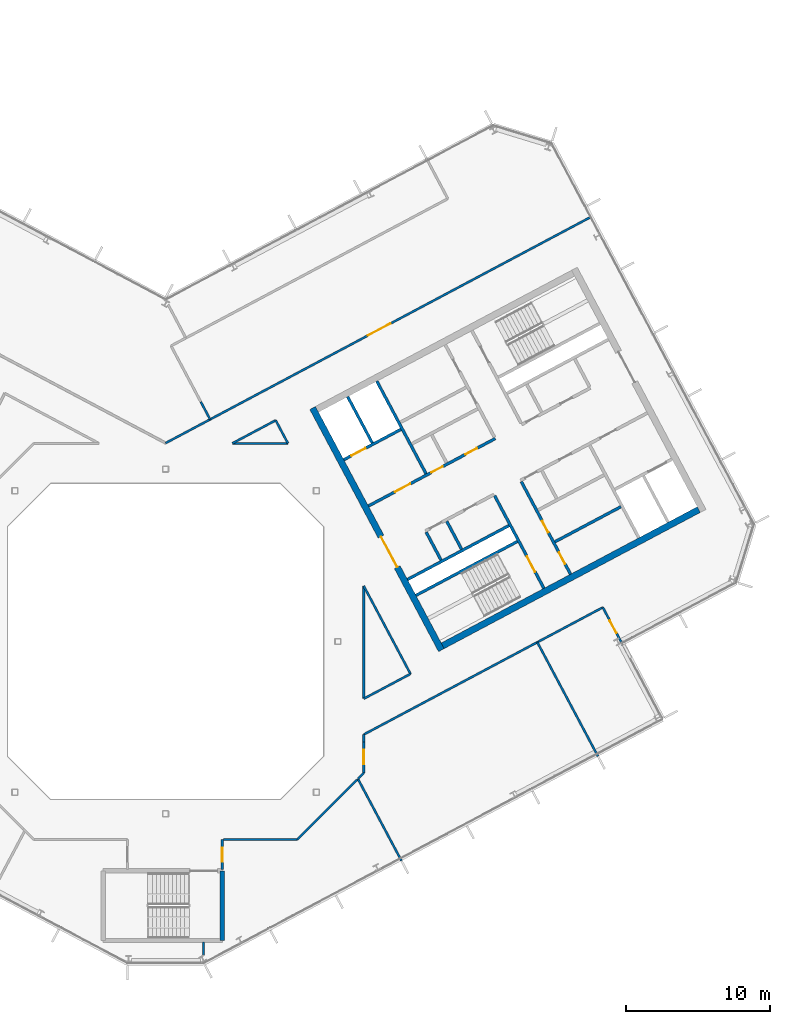
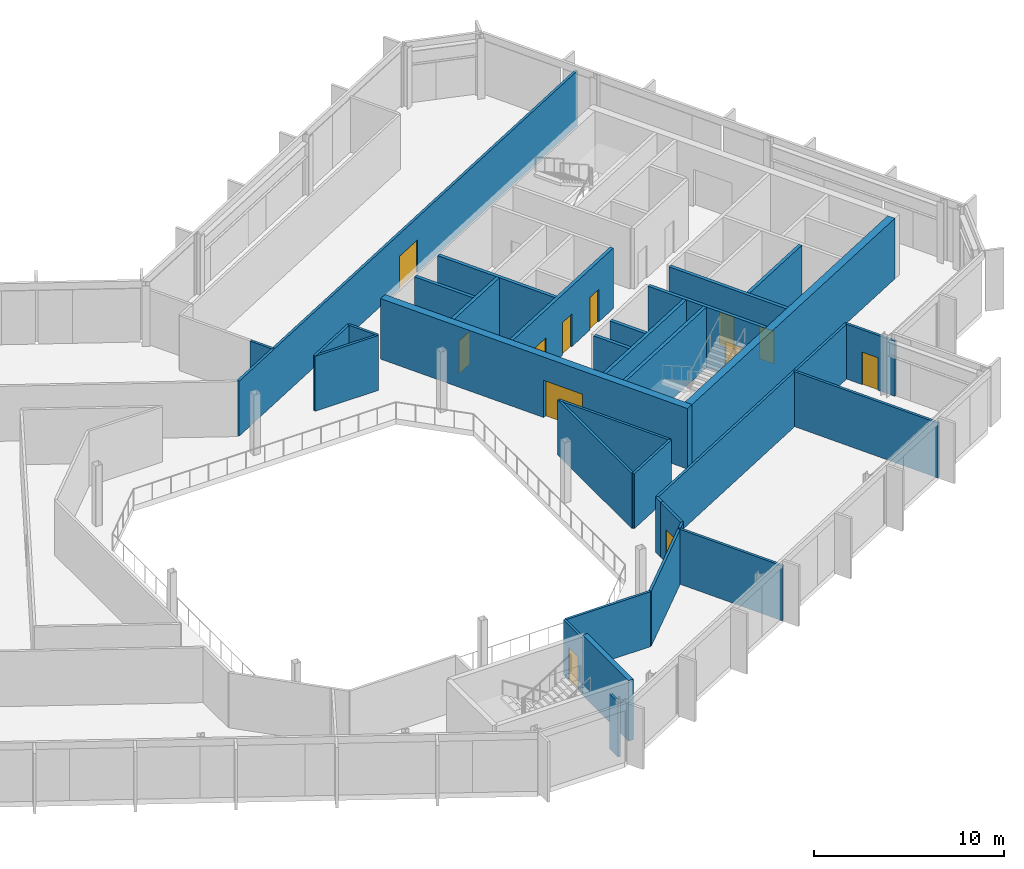
# One storey, part 16 of 26: 33 walls, 12 doors, 12 openings.
"""IFC4 building model written with IfcOpenShell, lengths in metres."""

from ifc_helpers import new_model, si_unit, direction, frame, frame_2d, origin, place, context, subcontext, project, spatial, rectangle, extrude, material, layer, layer_set, type_object, element, fill, save


model = new_model("IFC4")

# Units and contexts
model_context = context("Model", 3, precision=1e-05, world=origin(), true_north=direction((0.0, 1.0)))
body_context = subcontext(model_context, "Body", "Model", "MODEL_VIEW")
ifc_project = project(units=[si_unit("LENGTHUNIT", "METRE"), si_unit("AREAUNIT", "SQUARE_METRE"), si_unit("VOLUMEUNIT", "CUBIC_METRE"), si_unit("PLANEANGLEUNIT", "RADIAN"), si_unit("MASSUNIT", "GRAM", prefix="KILO")], contexts=[model_context])

# Site, building, storey
site_placement = place(None, origin())
site = spatial("IfcSite", under=ifc_project, at=site_placement, CompositionType="ELEMENT")
building_placement = place(site_placement, origin())
building = spatial("IfcBuilding", under=site, at=building_placement, Name="Cormorant Relay Tower", CompositionType="ELEMENT")
storey_placement = place(building_placement, frame((0.0, 0.0, 277.5)))
storey = spatial("IfcBuildingStorey", under=building, at=storey_placement, Name="L62", CompositionType="ELEMENT", Elevation=277.5)

# Walls
ifc_material_1 = material(Name="Concrete 40 MPa", Category="concrete")
ifc_layer_1 = layer(ifc_material_1, 0.199951171875)
ifc_layer_set_1 = layer_set([ifc_layer_1], Name="Core internal wall 200")
wall_type_1 = type_object("IfcWallType", Name="Core internal wall 200", PredefinedType="SOLIDWALL", material=ifc_layer_set_1)
wall_1_placement = place(storey_placement, frame((20.614013671875, 6.430419921875, 0.0), z_axis=(0.0, 0.0, 1.0), x_axis=(-0.4694473164, 0.882960484464, 0.0)))
element("IfcWall", 1, at=wall_1_placement, inside=storey, type_object=wall_type_1, Name="L62 core B shaft and room wall", PredefinedType="SOLIDWALL", context=body_context, shape_type="SweptSolid", body=[
    extrude(rectangle(XDim=2.199951171875, YDim=0.199951171875, at=frame_2d((1.10009765625, 0.0))), origin(), (0.0, 0.0, 1.0), 3.89990234375),
])
wall_2_placement = place(storey_placement, frame((27.11474609375, 6.942138671875, 0.0), z_axis=(0.0, 0.0, 1.0), x_axis=(0.882934506056, 0.469496174655, 0.0)))
element("IfcWall", 2, at=wall_2_placement, inside=storey, type_object=wall_type_1, Name="L62 core B shaft and room wall", PredefinedType="SOLIDWALL", context=body_context, shape_type="SweptSolid", body=[
    extrude(rectangle(XDim=5.199951171875, YDim=0.199951171875, at=frame_2d((2.60009765625, 0.0))), origin(), (0.0, 0.0, 1.0), 3.89990234375),
])
ifc_material_2 = material(Name="Concrete 50 MPa", Category="concrete")
ifc_layer_2 = layer(ifc_material_2, 0.199951171875)
ifc_layer_set_2 = layer_set([ifc_layer_2], Name="Core shaft wall 200")
wall_type_2 = type_object("IfcWallType", Name="Core shaft wall 200", PredefinedType="SHEAR", material=ifc_layer_set_2)
wall_3_placement = place(storey_placement, frame((14.39404296875, 13.825927734375, 0.0), z_axis=(0.0, 0.0, 1.0), x_axis=(-0.469494272526, 0.882935517501, 0.0)))
element("IfcWall", 3, at=wall_3_placement, inside=storey, type_object=wall_type_2, Name="L62 core B shaft wall", PredefinedType="SHEAR", context=body_context, shape_type="SweptSolid", body=[
    extrude(rectangle(XDim=3.64990234375, YDim=0.199951171875, at=frame_2d((1.824951171875, 0.0))), origin(), (0.0, 0.0, 1.0), 3.89990234375),
])
wall_4_placement = place(storey_placement, frame((19.18359375, 5.669921875, 0.0), z_axis=(0.0, 0.0, 1.0), x_axis=(-0.4694473164, 0.882960484464, 0.0)))
element("IfcWall", 4, at=wall_4_placement, inside=storey, type_object=wall_type_2, Name="L62 core B shaft wall", PredefinedType="SHEAR", context=body_context, shape_type="SweptSolid", body=[
    extrude(rectangle(XDim=2.199951171875, YDim=0.199951171875, at=frame_2d((1.10009765625, 0.0))), origin(), (0.0, 0.0, 1.0), 3.89990234375),
])
wall_5_placement = place(storey_placement, frame((18.138427734375, 11.682861328125, 0.0), z_axis=(0.0, 0.0, 1.0), x_axis=(-0.469480409012, 0.88294288918, 0.0)))
element("IfcWall", 5, at=wall_5_placement, inside=storey, type_object=wall_type_2, Name="L62 core B shaft wall", PredefinedType="SHEAR", context=body_context, shape_type="SweptSolid", body=[
    extrude(rectangle(XDim=7.300048828125, YDim=0.199951171875, at=frame_2d((3.64990234375, 0.0))), origin(), (0.0, 0.0, 1.0), 3.89990234375),
])

# Wall, opening, door
wall_6_placement = place(storey_placement, frame((26.345947265625, 3.701904296875, 0.0), z_axis=(0.0, 0.0, 1.0), x_axis=(-0.469480409012, 0.88294288918, 0.0)))
wall_6 = element("IfcWall", 6, at=wall_6_placement, inside=storey, type_object=wall_type_2, Name="L62 core B shaft wall", PredefinedType="SHEAR", context=body_context, shape_type="SweptSolid", body=[
    extrude(rectangle(XDim=7.300048828125, YDim=0.199951171875, at=frame_2d((3.64990234375, 0.0))), origin(), (0.0, 0.0, 1.0), 3.89990234375),
])
opening_1_placement = place(wall_6_placement, frame((1.300048828125, 0.0, 0.0)))
opening_1 = element("IfcOpeningElement", 7, at=opening_1_placement, cuts=wall_6, Name="Opening CDB-040", PredefinedType="OPENING", context=body_context, shape_type="SweptSolid", body=[
    extrude(rectangle(XDim=1.199951171875, YDim=2.10009765625, at=frame_2d((0.60009765625, 1.050048828125))), frame((0.0, 0.10986328125, 0.0), z_axis=(0.0, -1.0, 0.0), x_axis=(1.0, 0.0, 0.0)), (0.0, 0.0, 1.0), 0.219970703125),
])
ifc_material_3 = material(Name="Steel fire door", Category="steel")
door_type_1 = type_object("IfcDoorType", Name="Core stair door 1200x2100", OperationType="SINGLE_SWING_LEFT", PredefinedType="DOOR", material=ifc_material_3)
door_1_placement = place(opening_1_placement, origin())
door_1 = element("IfcDoor", 8, at=door_1_placement, inside=storey, type_object=door_type_1, Name="Core stair door 1200x2100", OperationType="SINGLE_SWING_RIGHT", OverallHeight=2.10009765625, OverallWidth=1.199951171875, PredefinedType="DOOR", context=body_context, shape_type="SweptSolid", body=[
    extrude(rectangle(XDim=1.199951171875, YDim=2.10009765625, at=frame_2d((0.60009765625, 1.050048828125))), frame((0.0, 0.02490234375, 0.0), z_axis=(0.0, -1.0, 0.0), x_axis=(1.0, 0.0, 0.0)), (0.0, 0.0, 1.0), 0.050048828125),
])
fill(opening_1, door_1)

# Wall, openings, doors
wall_7_placement = place(storey_placement, frame((28.199951171875, 4.687744140625, 0.0), z_axis=(0.0, 0.0, 1.0), x_axis=(-0.469454336211, 0.882956752176, 0.0)))
wall_7 = element("IfcWall", 9, at=wall_7_placement, inside=storey, type_object=wall_type_2, Name="L62 core B shaft wall", PredefinedType="SHEAR", context=body_context, shape_type="SweptSolid", body=[
    extrude(rectangle(XDim=7.300048828125, YDim=0.199951171875, at=frame_2d((3.64990234375, 0.0))), origin(), (0.0, 0.0, 1.0), 3.89990234375),
])
opening_2_placement = place(wall_7_placement, frame((0.800048828125, 0.0, 0.0)))
opening_2 = element("IfcOpeningElement", 10, at=opening_2_placement, cuts=wall_7, Name="Opening CDD-286", PredefinedType="OPENING", context=body_context, shape_type="SweptSolid", body=[
    extrude(rectangle(XDim=0.89990234375, YDim=2.10009765625, at=frame_2d((0.449951171875, 1.050048828125))), frame((0.0, 0.10986328125, 0.0), z_axis=(0.0, -1.0, 0.0), x_axis=(1.0, 0.0, 0.0)), (0.0, 0.0, 1.0), 0.219970703125),
])
opening_3_placement = place(wall_7_placement, frame((3.300048828125, 0.0, 0.0)))
opening_3 = element("IfcOpeningElement", 11, at=opening_3_placement, cuts=wall_7, Name="Opening CDD-287", PredefinedType="OPENING", context=body_context, shape_type="SweptSolid", body=[
    extrude(rectangle(XDim=0.89990234375, YDim=2.10009765625, at=frame_2d((0.449951171875, 1.050048828125))), frame((0.0, 0.10986328125, 0.0), z_axis=(0.0, -1.0, 0.0), x_axis=(1.0, 0.0, 0.0)), (0.0, 0.0, 1.0), 0.219970703125),
])
ifc_material_4 = material(Name="Steel fire door", Category="steel")
door_type_2 = type_object("IfcDoorType", Name="Core room door 900x2100", OperationType="SINGLE_SWING_LEFT", PredefinedType="DOOR", material=ifc_material_4)
door_2_placement = place(opening_2_placement, frame((0.89990234375, 0.0, 0.0), z_axis=(0.0, 0.0, 1.0), x_axis=(-1.0, 0.0, 0.0)))
door_2 = element("IfcDoor", 12, at=door_2_placement, inside=storey, type_object=door_type_2, Name="Core room door 900x2100", OperationType="SINGLE_SWING_LEFT", OverallHeight=2.10009765625, OverallWidth=0.89990234375, PredefinedType="DOOR", context=body_context, shape_type="SweptSolid", body=[
    extrude(rectangle(XDim=0.89990234375, YDim=2.10009765625, at=frame_2d((0.449951171875, 1.050048828125))), frame((0.0, 0.02490234375, 0.0), z_axis=(0.0, -1.0, 0.0), x_axis=(1.0, 0.0, 0.0)), (0.0, 0.0, 1.0), 0.050048828125),
])
fill(opening_2, door_2)
door_3_placement = place(opening_3_placement, frame((0.89990234375, 0.0, 0.0), z_axis=(0.0, 0.0, 1.0), x_axis=(-1.0, 0.0, 0.0)))
door_3 = element("IfcDoor", 13, at=door_3_placement, inside=storey, type_object=door_type_2, Name="Core room door 900x2100", OperationType="SINGLE_SWING_LEFT", OverallHeight=2.10009765625, OverallWidth=0.89990234375, PredefinedType="DOOR", context=body_context, shape_type="SweptSolid", body=[
    extrude(rectangle(XDim=0.89990234375, YDim=2.10009765625, at=frame_2d((0.449951171875, 1.050048828125))), frame((0.0, 0.02490234375, 0.0), z_axis=(0.0, -1.0, 0.0), x_axis=(1.0, 0.0, 0.0)), (0.0, 0.0, 1.0), 0.050048828125),
])
fill(opening_3, door_3)

# Walls
for number, where, z_axis, x_axis, name in (
    (14, (17.43359375, 3.210205078125, 0.0), (0.0, 0.0, 1.0), (0.882940221191, 0.469485426614, 0.0), "L62 core B shaft wall"),
    (15, (16.8466796875, 4.31396484375, 0.0), (0.0, 0.0, 1.0), (0.882940221191, 0.469485426614, 0.0), "L62 core B shaft wall"),
):
    element("IfcWall", number, at=place(storey_placement, frame(where, z_axis=z_axis, x_axis=x_axis)), inside=storey, type_object=wall_type_2, Name=name, PredefinedType="SHEAR", context=body_context, shape_type="SweptSolid", body=[
        extrude(rectangle(XDim=8.0, YDim=0.199951171875, at=frame_2d((4.0, 0.0))), origin(), (0.0, 0.0, 1.0), 3.89990234375),
    ])

# Wall, openings, doors
wall_8_placement = place(storey_placement, frame((14.123779296875, 9.43505859375, 0.0), z_axis=(0.0, 0.0, 1.0), x_axis=(0.882940221191, 0.469485426614, 0.0)))
wall_8 = element("IfcWall", 16, at=wall_8_placement, inside=storey, type_object=wall_type_2, Name="L62 core B shaft wall", PredefinedType="SHEAR", context=body_context, shape_type="SweptSolid", body=[
    extrude(rectangle(XDim=10.0, YDim=0.199951171875, at=frame_2d((5.0, 0.0))), origin(), (0.0, 0.0, 1.0), 3.89990234375),
])
opening_4_placement = place(wall_8_placement, frame((2.10009765625, 0.0, 0.0)))
opening_4 = element("IfcOpeningElement", 17, at=opening_4_placement, cuts=wall_8, Name="Opening CDC-037", PredefinedType="OPENING", context=body_context, shape_type="SweptSolid", body=[
    extrude(rectangle(XDim=1.199951171875, YDim=2.10009765625, at=frame_2d((0.60009765625, 1.050048828125))), frame((0.0, 0.10986328125, 0.0), z_axis=(0.0, -1.0, 0.0), x_axis=(1.0, 0.0, 0.0)), (0.0, 0.0, 1.0), 0.219970703125),
])
opening_5_placement = place(wall_8_placement, frame((4.9599609375, 0.0, 0.0)))
opening_5 = element("IfcOpeningElement", 18, at=opening_5_placement, cuts=wall_8, Name="Opening CDD-241", PredefinedType="OPENING", context=body_context, shape_type="SweptSolid", body=[
    extrude(rectangle(XDim=0.89990234375, YDim=2.10009765625, at=frame_2d((0.449951171875, 1.050048828125))), frame((0.0, 0.10986328125, 0.0), z_axis=(0.0, -1.0, 0.0), x_axis=(1.0, 0.0, 0.0)), (0.0, 0.0, 1.0), 0.219970703125),
])
opening_6_placement = place(wall_8_placement, frame((7.659912109375, 0.0, 0.0)))
opening_6 = element("IfcOpeningElement", 19, at=opening_6_placement, cuts=wall_8, Name="Opening CDD-242", PredefinedType="OPENING", context=body_context, shape_type="SweptSolid", body=[
    extrude(rectangle(XDim=0.89990234375, YDim=2.10009765625, at=frame_2d((0.449951171875, 1.050048828125))), frame((0.0, 0.10986328125, 0.0), z_axis=(0.0, -1.0, 0.0), x_axis=(1.0, 0.0, 0.0)), (0.0, 0.0, 1.0), 0.219970703125),
])
ifc_material_5 = material(Name="Steel fire door", Category="steel")
door_type_3 = type_object("IfcDoorType", Name="Core lobby door 1200x2100", OperationType="SINGLE_SWING_LEFT", PredefinedType="DOOR", material=ifc_material_5)
door_4_placement = place(opening_4_placement, origin())
door_4 = element("IfcDoor", 20, at=door_4_placement, inside=storey, type_object=door_type_3, Name="Core lobby door 1200x2100", OperationType="SINGLE_SWING_RIGHT", OverallHeight=2.10009765625, OverallWidth=1.199951171875, PredefinedType="DOOR", context=body_context, shape_type="SweptSolid", body=[
    extrude(rectangle(XDim=1.199951171875, YDim=2.10009765625, at=frame_2d((0.60009765625, 1.050048828125))), frame((0.0, 0.02490234375, 0.0), z_axis=(0.0, -1.0, 0.0), x_axis=(1.0, 0.0, 0.0)), (0.0, 0.0, 1.0), 0.050048828125),
])
fill(opening_4, door_4)
door_5_placement = place(opening_5_placement, frame((0.89990234375, 0.0, 0.0), z_axis=(0.0, 0.0, 1.0), x_axis=(-1.0, 0.0, 0.0)))
door_5 = element("IfcDoor", 21, at=door_5_placement, inside=storey, type_object=door_type_2, Name="Core room door 900x2100", OperationType="SINGLE_SWING_RIGHT", OverallHeight=2.10009765625, OverallWidth=0.89990234375, PredefinedType="DOOR", context=body_context, shape_type="SweptSolid", body=[
    extrude(rectangle(XDim=0.89990234375, YDim=2.10009765625, at=frame_2d((0.449951171875, 1.050048828125))), frame((0.0, 0.02490234375, 0.0), z_axis=(0.0, -1.0, 0.0), x_axis=(1.0, 0.0, 0.0)), (0.0, 0.0, 1.0), 0.050048828125),
])
fill(opening_5, door_5)
door_6_placement = place(opening_6_placement, frame((0.89990234375, 0.0, 0.0), z_axis=(0.0, 0.0, 1.0), x_axis=(-1.0, 0.0, 0.0)))
door_6 = element("IfcDoor", 22, at=door_6_placement, inside=storey, type_object=door_type_2, Name="Core room door 900x2100", OperationType="SINGLE_SWING_RIGHT", OverallHeight=2.10009765625, OverallWidth=0.89990234375, PredefinedType="DOOR", context=body_context, shape_type="SweptSolid", body=[
    extrude(rectangle(XDim=0.89990234375, YDim=2.10009765625, at=frame_2d((0.449951171875, 1.050048828125))), frame((0.0, 0.02490234375, 0.0), z_axis=(0.0, -1.0, 0.0), x_axis=(1.0, 0.0, 0.0)), (0.0, 0.0, 1.0), 0.050048828125),
])
fill(opening_6, door_6)

# Wall, opening, door
wall_9_placement = place(storey_placement, frame((12.41015625, 12.657958984375, 0.0), z_axis=(0.0, 0.0, 1.0), x_axis=(0.8829484765, 0.469469900894, 0.0)))
wall_9 = element("IfcWall", 23, at=wall_9_placement, inside=storey, type_object=wall_type_2, Name="L62 core B shaft wall", PredefinedType="SHEAR", context=body_context, shape_type="SweptSolid", body=[
    extrude(rectangle(XDim=4.499755859375, YDim=0.199951171875, at=frame_2d((2.25, 0.0))), origin(), (0.0, 0.0, 1.0), 3.89990234375),
])
opening_7_placement = place(wall_9_placement, frame((0.60009765625, 0.0, 0.0)))
opening_7 = element("IfcOpeningElement", 24, at=opening_7_placement, cuts=wall_9, Name="Opening LD1-064", PredefinedType="OPENING", context=body_context, shape_type="SweptSolid", body=[
    extrude(rectangle(XDim=1.10009765625, YDim=2.10009765625, at=frame_2d((0.550048828125, 1.050048828125))), frame((0.0, 0.10986328125, 0.0), z_axis=(0.0, -1.0, 0.0), x_axis=(1.0, 0.0, 0.0)), (0.0, 0.0, 1.0), 0.219970703125),
])
ifc_material_6 = material(Name="Stainless steel 316", Category="steel")
door_type_4 = type_object("IfcDoorType", Name="Lift landing door 1100x2100", OperationType="DOUBLE_DOOR_SLIDING", PredefinedType="DOOR", material=ifc_material_6)
door_7_placement = place(opening_7_placement, origin())
door_7 = element("IfcDoor", 25, at=door_7_placement, inside=storey, type_object=door_type_4, Name="FF2 landing door", OperationType="DOUBLE_DOOR_SLIDING", OverallHeight=2.10009765625, OverallWidth=1.10009765625, PredefinedType="DOOR", context=body_context, shape_type="SweptSolid", body=[
    extrude(rectangle(XDim=1.10009765625, YDim=2.10009765625, at=frame_2d((0.550048828125, 1.050048828125))), frame((0.0, 0.02490234375, 0.0), z_axis=(0.0, -1.0, 0.0), x_axis=(1.0, 0.0, 0.0)), (0.0, 0.0, 1.0), 0.050048828125),
])
fill(opening_7, door_7)

ifc_material_7 = material(Name="Concrete 50 MPa", Category="concrete")
ifc_layer_3 = layer(ifc_material_7, 0.449951171875)
ifc_layer_set_3 = layer_set([ifc_layer_3], Name="Core wall 450")
wall_type_3 = type_object("IfcWallType", Name="Core wall 450", PredefinedType="SHEAR", material=ifc_layer_set_3)
wall_10_placement = place(storey_placement, frame((19.20654296875, -0.603759765625, 0.0), z_axis=(0.0, 0.0, 1.0), x_axis=(-0.469467968382, 0.882949504028, 0.0)))
wall_10 = element("IfcWall", 26, at=wall_10_placement, inside=storey, type_object=wall_type_3, Name="L62 core B wall", PredefinedType="SHEAR", context=body_context, shape_type="SweptSolid", body=[
    extrude(rectangle(XDim=19.099853515625, YDim=0.449951171875, at=frame_2d((9.5498046875, 0.0))), origin(), (0.0, 0.0, 1.0), 3.89990234375),
])
opening_8_placement = place(wall_10_placement, frame((6.550048828125, 0.0, 0.0)))
opening_8 = element("IfcOpeningElement", 27, at=opening_8_placement, cuts=wall_10, Name="Opening CDA-052", PredefinedType="OPENING", context=body_context, shape_type="SweptSolid", body=[
    extrude(rectangle(XDim=2.39990234375, YDim=2.39990234375, at=frame_2d((1.199951171875, 1.199951171875))), frame((0.0, 0.23486328125, 0.0), z_axis=(0.0, -1.0, 0.0), x_axis=(1.0, 0.0, 0.0)), (0.0, 0.0, 1.0), 0.469970703125),
])
ifc_material_8 = material(Name="Steel fire door", Category="steel")
door_type_5 = type_object("IfcDoorType", Name="Core lobby door 2400x2400", OperationType="DOUBLE_DOOR_SINGLE_SWING", PredefinedType="DOOR", material=ifc_material_8)
door_8_placement = place(opening_8_placement, frame((2.39990234375, 0.0, 0.0), z_axis=(0.0, 0.0, 1.0), x_axis=(-1.0, 0.0, 0.0)))
door_8 = element("IfcDoor", 28, at=door_8_placement, inside=storey, type_object=door_type_5, Name="Core lobby door 2400x2400", OperationType="DOUBLE_DOOR_SINGLE_SWING", OverallHeight=2.39990234375, OverallWidth=2.39990234375, PredefinedType="DOOR", context=body_context, shape_type="SweptSolid", body=[
    extrude(rectangle(XDim=2.39990234375, YDim=2.39990234375, at=frame_2d((1.199951171875, 1.199951171875))), frame((0.0, 0.02490234375, 0.0), z_axis=(0.0, -1.0, 0.0), x_axis=(1.0, 0.0, 0.0)), (0.0, 0.0, 1.0), 0.050048828125),
])
fill(opening_8, door_8)

# Wall
wall_11_placement = place(storey_placement, frame((19.299560546875, -0.29931640625, 0.0), z_axis=(0.0, 0.0, 1.0), x_axis=(0.88295276571, 0.46946183394, 0.0)))
element("IfcWall", 29, at=wall_11_placement, inside=storey, type_object=wall_type_3, Name="L62 core B wall", PredefinedType="SHEAR", context=body_context, shape_type="SweptSolid", body=[
    extrude(rectangle(XDim=20.199951171875, YDim=0.449951171875, at=frame_2d((10.10009765625, 0.0))), origin(), (0.0, 0.0, 1.0), 3.89990234375),
])

# Wall, opening, door
ifc_material_9 = material(Name="Gypsum board fire partition")
ifc_layer_4 = layer(ifc_material_9, 0.14990234375)
ifc_layer_set_4 = layer_set([ifc_layer_4], Name="Corridor partition 150 EI 60")
wall_type_4 = type_object("IfcWallType", Name="Corridor partition 150 EI 60", PredefinedType="PARTITIONING", material=ifc_layer_set_4)
wall_12_placement = place(storey_placement, frame((0.0, 13.81689453125, 0.0), z_axis=(0.0, 0.0, 1.0), x_axis=(0.882939200239, 0.469487346668, 0.0)))
wall_12 = element("IfcWall", 30, at=wall_12_placement, inside=storey, type_object=wall_type_4, Name="wall/L62/part/009", PredefinedType="PARTITIONING", context=body_context, shape_type="SweptSolid", body=[
    extrude(rectangle(XDim=33.713623046875, YDim=0.14990234375, at=frame_2d((16.85693359375, 0.0))), origin(), (0.0, 0.0, 1.0), 3.5400390625),
])
opening_9_placement = place(wall_12_placement, frame((15.949951171875, 0.0, 0.0)))
opening_9 = element("IfcOpeningElement", 31, at=opening_9_placement, cuts=wall_12, Name="Opening DD-038", PredefinedType="OPENING", context=body_context, shape_type="SweptSolid", body=[
    extrude(rectangle(XDim=1.800048828125, YDim=2.10009765625, at=frame_2d((0.89990234375, 1.050048828125))), frame((0.0, 0.0849609375, 0.0), z_axis=(0.0, -1.0, 0.0), x_axis=(1.0, 0.0, 0.0)), (0.0, 0.0, 1.0), 0.169921875),
])
ifc_material_10 = material(Name="Timber door leaf", Category="wood")
door_type_6 = type_object("IfcDoorType", Name="Suite double door 1800x2100", OperationType="DOUBLE_DOOR_SINGLE_SWING", PredefinedType="DOOR", material=ifc_material_10)
door_9_placement = place(opening_9_placement, origin())
door_9 = element("IfcDoor", 32, at=door_9_placement, inside=storey, type_object=door_type_6, Name="door/L62/012", OperationType="DOUBLE_DOOR_SINGLE_SWING", OverallHeight=2.10009765625, OverallWidth=1.800048828125, PredefinedType="DOOR", context=body_context, shape_type="SweptSolid", body=[
    extrude(rectangle(XDim=1.800048828125, YDim=2.10009765625, at=frame_2d((0.89990234375, 1.050048828125))), frame((0.0, 0.02490234375, 0.0), z_axis=(0.0, -1.0, 0.0), x_axis=(1.0, 0.0, 0.0)), (0.0, 0.0, 1.0), 0.050048828125),
])
fill(opening_9, door_9)

wall_13_placement = place(storey_placement, frame((3.949951171875, -13.800048828125, 0.0), z_axis=(0.0, 0.0, 1.0), x_axis=(0.0, -1.0, 0.0)))
wall_13 = element("IfcWall", 33, at=wall_13_placement, inside=storey, type_object=wall_type_4, Name="wall/L62/part/033", PredefinedType="PARTITIONING", context=body_context, shape_type="SweptSolid", body=[
    extrude(rectangle(XDim=2.074951171875, YDim=0.14990234375, at=frame_2d((1.03759765625, 0.0))), origin(), (0.0, 0.0, 1.0), 3.5400390625),
])
opening_10_placement = place(wall_13_placement, frame((0.550048828125, 0.0, 0.0)))
opening_10 = element("IfcOpeningElement", 34, at=opening_10_placement, cuts=wall_13, Name="Opening DS-107", PredefinedType="OPENING", context=body_context, shape_type="SweptSolid", body=[
    extrude(rectangle(XDim=1.0, YDim=2.10009765625, at=frame_2d((0.5, 1.050048828125))), frame((0.0, 0.0849609375, 0.0), z_axis=(0.0, -1.0, 0.0), x_axis=(1.0, 0.0, 0.0)), (0.0, 0.0, 1.0), 0.169921875),
])
ifc_material_11 = material(Name="Timber door leaf", Category="wood")
door_type_7 = type_object("IfcDoorType", Name="Suite door 1000x2100", OperationType="SINGLE_SWING_LEFT", PredefinedType="DOOR", material=ifc_material_11)
door_10_placement = place(opening_10_placement, origin())
door_10 = element("IfcDoor", 35, at=door_10_placement, inside=storey, type_object=door_type_7, Name="door/L62/005", OperationType="SINGLE_SWING_LEFT", OverallHeight=2.10009765625, OverallWidth=1.0, PredefinedType="DOOR", context=body_context, shape_type="SweptSolid", body=[
    extrude(rectangle(XDim=1.0, YDim=2.10009765625, at=frame_2d((0.5, 1.050048828125))), frame((0.0, 0.02490234375, 0.0), z_axis=(0.0, -1.0, 0.0), x_axis=(1.0, 0.0, 0.0)), (0.0, 0.0, 1.0), 0.050048828125),
])
fill(opening_10, door_10)

# Walls
wall_14_placement = place(storey_placement, frame((13.3310546875, -9.62890625, 0.0), z_axis=(0.0, 0.0, 1.0), x_axis=(-0.707106781187, -0.707106781187, 0.0)))
element("IfcWall", 36, at=wall_14_placement, inside=storey, type_object=wall_type_4, Name="wall/L62/part/034", PredefinedType="PARTITIONING", context=body_context, shape_type="SweptSolid", body=[
    extrude(rectangle(XDim=5.89892578125, YDim=0.14990234375, at=frame_2d((2.949462890625, 0.0))), origin(), (0.0, 0.0, 1.0), 3.5400390625),
])
wall_15_placement = place(storey_placement, frame((9.159912109375, -13.800048828125, 0.0), z_axis=(0.0, 0.0, 1.0), x_axis=(-1.0, 0.0, 0.0)))
element("IfcWall", 37, at=wall_15_placement, inside=storey, type_object=wall_type_4, Name="wall/L62/part/035", PredefinedType="PARTITIONING", context=body_context, shape_type="SweptSolid", body=[
    extrude(rectangle(XDim=5.135009765625, YDim=0.14990234375, at=frame_2d((2.5673828125, 0.0))), origin(), (0.0, 0.0, 1.0), 3.5400390625),
])

# Wall, opening, door
wall_16_placement = place(storey_placement, frame((13.800048828125, -7.006103515625, 0.0), z_axis=(0.0, 0.0, 1.0), x_axis=(0.0, -1.0, 0.0)))
wall_16 = element("IfcWall", 38, at=wall_16_placement, inside=storey, type_object=wall_type_4, Name="wall/L62/part/037", PredefinedType="PARTITIONING", context=body_context, shape_type="SweptSolid", body=[
    extrude(rectangle(XDim=2.15380859375, YDim=0.14990234375, at=frame_2d((1.076904296875, 0.0))), origin(), (0.0, 0.0, 1.0), 3.5400390625),
])
opening_11_placement = place(wall_16_placement, frame((0.550048828125, 0.0, 0.0)))
opening_11 = element("IfcOpeningElement", 39, at=opening_11_placement, cuts=wall_16, Name="Opening DS-213", PredefinedType="OPENING", context=body_context, shape_type="SweptSolid", body=[
    extrude(rectangle(XDim=1.0, YDim=2.10009765625, at=frame_2d((0.5, 1.050048828125))), frame((0.0, 0.0849609375, 0.0), z_axis=(0.0, -1.0, 0.0), x_axis=(1.0, 0.0, 0.0)), (0.0, 0.0, 1.0), 0.169921875),
])
door_11_placement = place(opening_11_placement, origin())
door_11 = element("IfcDoor", 40, at=door_11_placement, inside=storey, type_object=door_type_7, Name="door/L62/006", OperationType="SINGLE_SWING_LEFT", OverallHeight=2.10009765625, OverallWidth=1.0, PredefinedType="DOOR", context=body_context, shape_type="SweptSolid", body=[
    extrude(rectangle(XDim=1.0, YDim=2.10009765625, at=frame_2d((0.5, 1.050048828125))), frame((0.0, 0.02490234375, 0.0), z_axis=(0.0, -1.0, 0.0), x_axis=(1.0, 0.0, 0.0)), (0.0, 0.0, 1.0), 0.050048828125),
])
fill(opening_11, door_11)

# Walls
wall_17_placement = place(storey_placement, frame((13.39501953125, -9.56494140625, 0.0), z_axis=(0.0, 0.0, 1.0), x_axis=(0.706254846232, 0.707957690949, 0.0)))
element("IfcWall", 41, at=wall_17_placement, inside=storey, type_object=wall_type_4, Name="wall/L62/part/038", PredefinedType="PARTITIONING", context=body_context, shape_type="SweptSolid", body=[
    extrude(rectangle(XDim=0.573486328125, YDim=0.14990234375, at=frame_2d((0.28662109375, 0.0))), origin(), (0.0, 0.0, 1.0), 3.5400390625),
])
wall_18_placement = place(storey_placement, frame((13.800048828125, -7.006103515625, 0.0), z_axis=(0.0, 0.0, 1.0), x_axis=(0.0, 1.0, 0.0)))
element("IfcWall", 42, at=wall_18_placement, inside=storey, type_object=wall_type_4, Name="wall/L62/part/039", PredefinedType="PARTITIONING", context=body_context, shape_type="SweptSolid", body=[
    extrude(rectangle(XDim=0.526123046875, YDim=0.14990234375, at=frame_2d((0.26318359375, 0.0))), origin(), (0.0, 0.0, 1.0), 3.5400390625),
])

# Wall, opening, door
wall_19_placement = place(storey_placement, frame((31.89697265625, -0.346923828125, 0.0), z_axis=(0.0, 0.0, 1.0), x_axis=(-0.469670796129, 0.882841629775, 0.0)))
wall_19 = element("IfcWall", 43, at=wall_19_placement, inside=storey, type_object=wall_type_4, Name="wall/L62/part/041", PredefinedType="PARTITIONING", context=body_context, shape_type="SweptSolid", body=[
    extrude(rectangle(XDim=3.080810546875, YDim=0.14990234375, at=frame_2d((1.54052734375, 0.0))), origin(), (0.0, 0.0, 1.0), 3.5400390625),
])
opening_12_placement = place(wall_19_placement, frame((1.050048828125, 0.0, 0.0)))
opening_12 = element("IfcOpeningElement", 44, at=opening_12_placement, cuts=wall_19, Name="Opening DS-214", PredefinedType="OPENING", context=body_context, shape_type="SweptSolid", body=[
    extrude(rectangle(XDim=1.0, YDim=2.10009765625, at=frame_2d((0.5, 1.050048828125))), frame((0.0, 0.0849609375, 0.0), z_axis=(0.0, -1.0, 0.0), x_axis=(1.0, 0.0, 0.0)), (0.0, 0.0, 1.0), 0.169921875),
])
door_12_placement = place(opening_12_placement, origin())
door_12 = element("IfcDoor", 45, at=door_12_placement, inside=storey, type_object=door_type_7, Name="door/L62/007", OperationType="SINGLE_SWING_LEFT", OverallHeight=2.10009765625, OverallWidth=1.0, PredefinedType="DOOR", context=body_context, shape_type="SweptSolid", body=[
    extrude(rectangle(XDim=1.0, YDim=2.10009765625, at=frame_2d((0.5, 1.050048828125))), frame((0.0, 0.02490234375, 0.0), z_axis=(0.0, -1.0, 0.0), x_axis=(1.0, 0.0, 0.0)), (0.0, 0.0, 1.0), 0.050048828125),
])
fill(opening_12, door_12)

# Walls
wall_20_placement = place(storey_placement, frame((30.449951171875, 2.373046875, 0.0), z_axis=(0.0, 0.0, 1.0), x_axis=(-0.882945015872, -0.46947640936, 0.0)))
element("IfcWall", 46, at=wall_20_placement, inside=storey, type_object=wall_type_4, Name="wall/L62/part/042", PredefinedType="PARTITIONING", context=body_context, shape_type="SweptSolid", body=[
    extrude(rectangle(XDim=18.857177734375, YDim=0.14990234375, at=frame_2d((9.4287109375, 0.0))), origin(), (0.0, 0.0, 1.0), 3.5400390625),
])
wall_21_placement = place(storey_placement, frame((7.6669921875, 15.402099609375, 0.0), z_axis=(0.0, 0.0, 1.0), x_axis=(-0.883005489543, -0.469362658759, 0.0)))
element("IfcWall", 47, at=wall_21_placement, inside=storey, type_object=wall_type_4, Name="wall/L62/part/052", PredefinedType="PARTITIONING", context=body_context, shape_type="SweptSolid", body=[
    extrude(rectangle(XDim=3.413330078125, YDim=0.14990234375, at=frame_2d((1.70654296875, 0.0))), origin(), (0.0, 0.0, 1.0), 3.5400390625),
])
wall_22_placement = place(storey_placement, frame((4.653076171875, 13.800048828125, 0.0), z_axis=(0.0, 0.0, 1.0), x_axis=(1.0, 0.0, 0.0)))
element("IfcWall", 48, at=wall_22_placement, inside=storey, type_object=wall_type_4, Name="wall/L62/part/053", PredefinedType="PARTITIONING", context=body_context, shape_type="SweptSolid", body=[
    extrude(rectangle(XDim=3.864990234375, YDim=0.14990234375, at=frame_2d((1.9326171875, 0.0))), origin(), (0.0, 0.0, 1.0), 3.5400390625),
])
wall_23_placement = place(storey_placement, frame((8.51806640625, 13.800048828125, 0.0), z_axis=(0.0, 0.0, 1.0), x_axis=(-0.469148666032, 0.883119204389, 0.0)))
element("IfcWall", 49, at=wall_23_placement, inside=storey, type_object=wall_type_4, Name="wall/L62/part/054", PredefinedType="PARTITIONING", context=body_context, shape_type="SweptSolid", body=[
    extrude(rectangle(XDim=1.81396484375, YDim=0.14990234375, at=frame_2d((0.906982421875, 0.0))), origin(), (0.0, 0.0, 1.0), 3.5400390625),
])
wall_24_placement = place(storey_placement, frame((13.800048828125, -3.988037109375, 0.0), z_axis=(0.0, 0.0, 1.0), x_axis=(0.882971660552, 0.469426295239, 0.0)))
element("IfcWall", 50, at=wall_24_placement, inside=storey, type_object=wall_type_4, Name="wall/L62/part/055", PredefinedType="PARTITIONING", context=body_context, shape_type="SweptSolid", body=[
    extrude(rectangle(XDim=3.6875, YDim=0.14990234375, at=frame_2d((1.84375, 0.0))), origin(), (0.0, 0.0, 1.0), 3.5400390625),
])
wall_25_placement = place(storey_placement, frame((17.055908203125, -2.257080078125, 0.0), z_axis=(0.0, 0.0, 1.0), x_axis=(-0.469433160251, 0.882968010778, 0.0)))
element("IfcWall", 51, at=wall_25_placement, inside=storey, type_object=wall_type_4, Name="wall/L62/part/056", PredefinedType="PARTITIONING", context=body_context, shape_type="SweptSolid", body=[
    extrude(rectangle(XDim=6.935791015625, YDim=0.14990234375, at=frame_2d((3.4677734375, 0.0))), origin(), (0.0, 0.0, 1.0), 3.5400390625),
])
wall_26_placement = place(storey_placement, frame((13.800048828125, 3.866943359375, 0.0), z_axis=(0.0, 0.0, 1.0), x_axis=(0.0, -1.0, 0.0)))
element("IfcWall", 52, at=wall_26_placement, inside=storey, type_object=wall_type_4, Name="wall/L62/part/057", PredefinedType="PARTITIONING", context=body_context, shape_type="SweptSolid", body=[
    extrude(rectangle(XDim=7.85498046875, YDim=0.14990234375, at=frame_2d((3.927490234375, 0.0))), origin(), (0.0, 0.0, 1.0), 3.5400390625),
])
ifc_material_12 = material(Name="Concrete 50 MPa", Category="concrete")
ifc_layer_5 = layer(ifc_material_12, 0.300048828125)
ifc_layer_set_5 = layer_set([ifc_layer_5], Name="Remote stair wall 300")
wall_type_5 = type_object("IfcWallType", Name="Remote stair wall 300", PredefinedType="SHEAR", material=ifc_layer_set_5)
wall_27_placement = place(storey_placement, frame((3.949951171875, -15.97509765625, 0.0), z_axis=(0.0, 0.0, 1.0), x_axis=(0.0, -1.0, 0.0)))
element("IfcWall", 53, at=wall_27_placement, inside=storey, type_object=wall_type_5, Name="L62 exit stair RK1 wall", PredefinedType="SHEAR", context=body_context, shape_type="SweptSolid", body=[
    extrude(rectangle(XDim=4.849853515625, YDim=0.300048828125, at=frame_2d((2.4248046875, 0.0))), origin(), (0.0, 0.0, 1.0), 3.89990234375),
])
ifc_material_13 = material(Name="Gypsum board partition")
ifc_layer_6 = layer(ifc_material_13, 0.14990234375)
ifc_layer_set_6 = layer_set([ifc_layer_6], Name="Tenant partition 150")
wall_type_6 = type_object("IfcWallType", Name="Tenant partition 150", PredefinedType="PARTITIONING", material=ifc_layer_set_6)
wall_28_placement = place(storey_placement, frame((2.450927734375, 16.69091796875, 0.0), z_axis=(0.0, 0.0, 1.0), x_axis=(0.46968306716, -0.88283510149, 0.0)))
element("IfcWall", 54, at=wall_28_placement, inside=storey, type_object=wall_type_6, Name="wall/L62/part/020", PredefinedType="PARTITIONING", context=body_context, shape_type="SweptSolid", body=[
    extrude(rectangle(XDim=1.38623046875, YDim=0.14990234375, at=frame_2d((0.693115234375, 0.0))), origin(), (0.0, 0.0, 1.0), 3.5400390625),
])
wall_29_placement = place(storey_placement, frame((2.64892578125, -21.826904296875, 0.0), z_axis=(0.0, 0.0, 1.0), x_axis=(0.0, 1.0, 0.0)))
element("IfcWall", 55, at=wall_29_placement, inside=storey, type_object=wall_type_6, Name="wall/L62/part/032", PredefinedType="PARTITIONING", context=body_context, shape_type="SweptSolid", body=[
    extrude(rectangle(XDim=0.90185546875, YDim=0.14990234375, at=frame_2d((0.450927734375, 0.0))), origin(), (0.0, 0.0, 1.0), 3.5400390625),
])
wall_30_placement = place(storey_placement, frame((13.39306640625, -9.56689453125, 0.0), z_axis=(0.0, 0.0, 1.0), x_axis=(0.469578527863, -0.882890710207, 0.0)))
element("IfcWall", 56, at=wall_30_placement, inside=storey, type_object=wall_type_6, Name="wall/L62/part/036", PredefinedType="PARTITIONING", context=body_context, shape_type="SweptSolid", body=[
    extrude(rectangle(XDim=6.465087890625, YDim=0.14990234375, at=frame_2d((3.232421875, 0.0))), origin(), (0.0, 0.0, 1.0), 3.5400390625),
])
wall_31_placement = place(storey_placement, frame((25.888916015625, -0.052001953125, 0.0), z_axis=(0.0, 0.0, 1.0), x_axis=(0.469351570135, -0.883011383625, 0.0)))
element("IfcWall", 57, at=wall_31_placement, inside=storey, type_object=wall_type_6, Name="wall/L62/part/040", PredefinedType="PARTITIONING", context=body_context, shape_type="SweptSolid", body=[
    extrude(rectangle(XDim=9.0, YDim=0.14990234375, at=frame_2d((4.5, 0.0))), origin(), (0.0, 0.0, 1.0), 3.5400390625),
])

save(model, "model.ifc")
